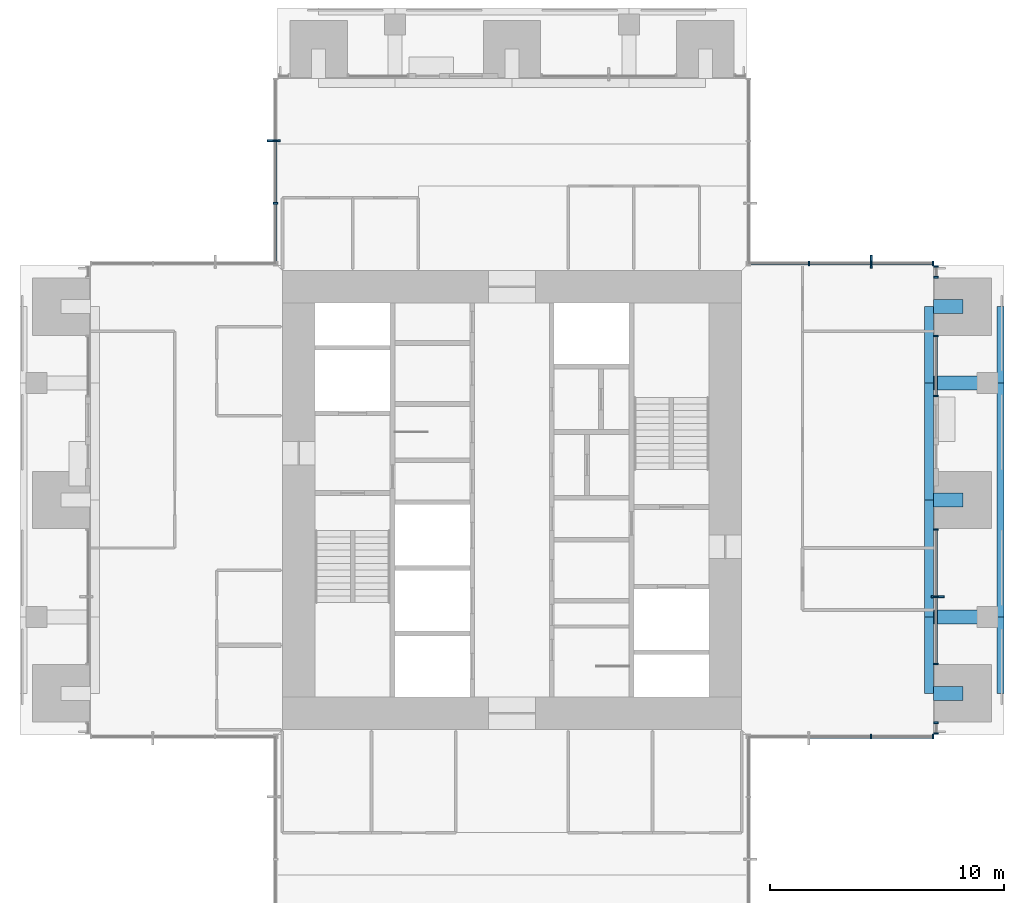
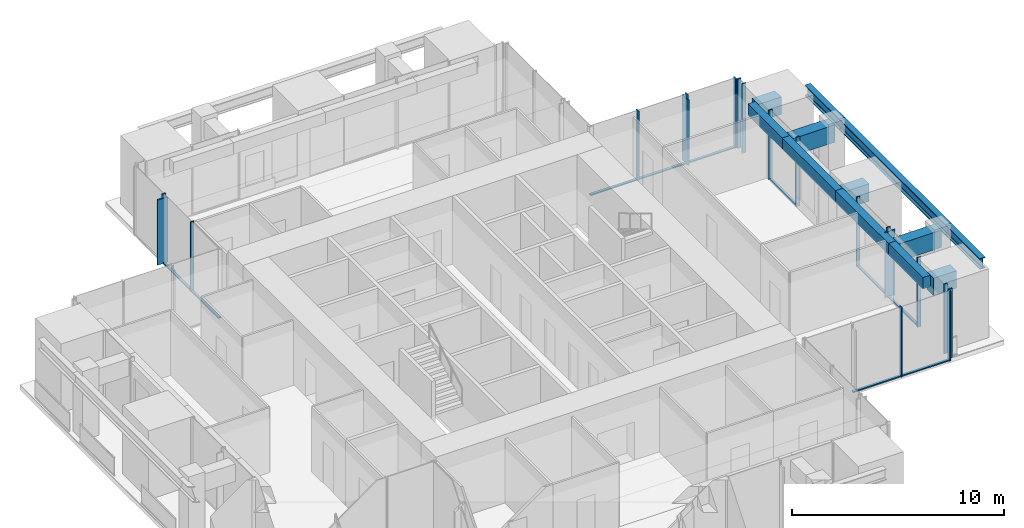
# One storey, part 4 of 17: 29 members, 12 beams, 7 elements without a shape of their own.
"""IFC4 building model written with IfcOpenShell, lengths in metres."""

from ifc_helpers import new_model, si_unit, direction, frame, origin, origin_2d, place, context, subcontext, project, spatial, rectangle, i_section, extrude, material, material_profile, profile_set, type_object, element, aggregate, save


model = new_model("IFC4")

# Units and contexts
model_context = context("Model", 3, precision=1e-05, world=origin(), true_north=direction((0.0, 1.0)))
body_context = subcontext(model_context, "Body", "Model", "MODEL_VIEW")
ifc_project = project(units=[si_unit("LENGTHUNIT", "METRE"), si_unit("AREAUNIT", "SQUARE_METRE"), si_unit("VOLUMEUNIT", "CUBIC_METRE"), si_unit("PLANEANGLEUNIT", "RADIAN"), si_unit("MASSUNIT", "GRAM", prefix="KILO")], contexts=[model_context])

# Site, building, storey
site_placement = place(None, origin())
site = spatial("IfcSite", under=ifc_project, at=site_placement, CompositionType="ELEMENT")
building_placement = place(site_placement, origin())
building = spatial("IfcBuilding", under=site, at=building_placement, Name="Svetlomir Tower", CompositionType="ELEMENT")
storey_placement = place(building_placement, frame((0.0, 0.0, 206.5)))
storey = spatial("IfcBuildingStorey", under=building, at=storey_placement, Name="L49", CompositionType="ELEMENT", Elevation=206.5)

# Curtain wall, member
ifc_material_1 = material(Name="Bronze anodised aluminium curtain wall", Category="aluminium")
curtain_wall_type = type_object("IfcCurtainWallType", Name="CURTAIN WALL CW1 TOWER OFFICE", PredefinedType="NOTDEFINED", material=ifc_material_1)
curtain_wall_1_placement = place(storey_placement, origin())
curtain_wall_1 = element("IfcCurtainWall", 1, at=curtain_wall_1_placement, inside=storey, type_object=curtain_wall_type, Name="Curtain wall CW1 L49", PredefinedType="NOTDEFINED")
ifc_material_2 = material(Name="Bronze anodised aluminium", Category="aluminium")
ifc_material_profile_1 = material_profile(ifc_material_2, rectangle(XDim=0.080078125, YDim=0.550048828125, at=origin_2d()), Name="FIN 80x550")
ifc_profile_set_1 = profile_set([ifc_material_profile_1], Name="Bronze anodised aluminium 6063-T6")
member_type_1 = type_object("IfcMemberType", Name="BRONZE FIN 80x550", PredefinedType="USERDEFINED", material=ifc_profile_set_1)
member_1_placement = place(storey_placement, frame((39.175048828125, 16.875, 0.0), z_axis=(0.0, 0.0, 1.0), x_axis=(0.0, 1.0, 0.0)))
member_1 = element("IfcMember", 2, at=member_1_placement, type_object=member_type_1, Name="Bronze fin L49", ObjectType="FIN", PredefinedType="USERDEFINED", context=body_context, shape_type="SweptSolid", body=[
    extrude(rectangle(XDim=0.080078125, YDim=0.550048828125, at=origin_2d()), origin(), (0.0, 0.0, 1.0), 3.75),
])

curtain_wall_2_placement = place(storey_placement, origin())
curtain_wall_2 = element("IfcCurtainWall", 3, at=curtain_wall_2_placement, inside=storey, type_object=curtain_wall_type, Name="Curtain wall CW1 L49", PredefinedType="NOTDEFINED")
member_2_placement = place(storey_placement, frame((36.333251953125, 31.175048828125, 0.0), z_axis=(0.0, 0.0, 1.0), x_axis=(1.0, 0.0, 0.0)))
member_2 = element("IfcMember", 4, at=member_2_placement, type_object=member_type_1, Name="Bronze fin L49", ObjectType="FIN", PredefinedType="USERDEFINED", context=body_context, shape_type="SweptSolid", body=[
    extrude(rectangle(XDim=0.080078125, YDim=0.550048828125, at=origin_2d()), origin(), (0.0, 0.0, 1.0), 3.75),
])

curtain_wall_3_placement = place(storey_placement, origin())
curtain_wall_3 = element("IfcCurtainWall", 5, at=curtain_wall_3_placement, inside=storey, type_object=curtain_wall_type, Name="Curtain wall CW1 L49", PredefinedType="NOTDEFINED")
member_3_placement = place(storey_placement, frame((10.824951171875, 36.333251953125, 0.0), z_axis=(0.0, 0.0, 1.0), x_axis=(0.0, 1.0, 0.0)))
member_3 = element("IfcMember", 6, at=member_3_placement, type_object=member_type_1, Name="Bronze fin L49", ObjectType="FIN", PredefinedType="USERDEFINED", context=body_context, shape_type="SweptSolid", body=[
    extrude(rectangle(XDim=0.080078125, YDim=0.550048828125, at=origin_2d()), origin(), (0.0, 0.0, 1.0), 3.75),
])

# Curtain wall, members
curtain_wall_4_placement = place(storey_placement, origin())
curtain_wall_4 = element("IfcCurtainWall", 7, at=curtain_wall_4_placement, inside=storey, type_object=curtain_wall_type, Name="Curtain wall CW1 L49", PredefinedType="NOTDEFINED")
ifc_material_3 = material(Name="Bronze anodised aluminium", Category="aluminium")
ifc_material_profile_2 = material_profile(ifc_material_3, rectangle(XDim=0.06494140625, YDim=0.199951171875, at=origin_2d()), Name="AL 65x200")
ifc_profile_set_2 = profile_set([ifc_material_profile_2], Name="Bronze anodised aluminium 6063-T6")
member_type_2 = type_object("IfcMemberType", Name="CW1 MULLION 65x200", PredefinedType="MULLION", material=ifc_profile_set_2)
member_4_placement = place(storey_placement, frame((36.333251953125, 10.89990234375, 0.0), z_axis=(0.0, 0.0, 1.0), x_axis=(1.0, 0.0, 0.0)))
member_4 = element("IfcMember", 8, at=member_4_placement, type_object=member_type_2, Name="CW1 mullion 3", PredefinedType="MULLION", context=body_context, shape_type="SweptSolid", body=[
    extrude(rectangle(XDim=0.06494140625, YDim=0.199951171875, at=origin_2d()), origin(), (0.0, 0.0, 1.0), 4.0),
])
member_5_placement = place(storey_placement, frame((38.967529296875, 10.89990234375, 0.0), z_axis=(0.0, 0.0, 1.0), x_axis=(1.0, 0.0, 0.0)))
member_5 = element("IfcMember", 9, at=member_5_placement, type_object=member_type_2, Name="CW1 mullion 4", PredefinedType="MULLION", context=body_context, shape_type="SweptSolid", body=[
    extrude(rectangle(XDim=0.06494140625, YDim=0.199951171875, at=origin_2d()), origin(), (0.0, 0.0, 1.0), 4.0),
])

curtain_wall_5_placement = place(storey_placement, origin())
curtain_wall_5 = element("IfcCurtainWall", 10, at=curtain_wall_5_placement, inside=storey, type_object=curtain_wall_type, Name="Curtain wall CW1 L49", PredefinedType="NOTDEFINED")
member_6_placement = place(storey_placement, frame((39.10009765625, 11.032470703125, 0.0), z_axis=(0.0, 0.0, 1.0), x_axis=(0.0, 1.0, 0.0)))
member_6 = element("IfcMember", 11, at=member_6_placement, type_object=member_type_2, Name="CW1 mullion 1", PredefinedType="MULLION", context=body_context, shape_type="SweptSolid", body=[
    extrude(rectangle(XDim=0.06494140625, YDim=0.199951171875, at=origin_2d()), origin(), (0.0, 0.0, 1.0), 4.0),
])
member_7_placement = place(storey_placement, frame((39.10009765625, 11.492431640625, 0.0), z_axis=(0.0, 0.0, 1.0), x_axis=(0.0, 1.0, 0.0)))
member_7 = element("IfcMember", 12, at=member_7_placement, type_object=member_type_2, Name="CW1 mullion 2", PredefinedType="MULLION", context=body_context, shape_type="SweptSolid", body=[
    extrude(rectangle(XDim=0.06494140625, YDim=0.199951171875, at=origin_2d()), origin(), (0.0, 0.0, 1.0), 4.0),
])
aggregate(curtain_wall_5, [member_6, member_7])

# Member
member_8_placement = place(storey_placement, frame((39.10009765625, 14.007568359375, 0.0), z_axis=(0.0, 0.0, 1.0), x_axis=(0.0, 1.0, 0.0)))
member_8 = element("IfcMember", 13, at=member_8_placement, type_object=member_type_2, Name="CW1 mullion 1", PredefinedType="MULLION", context=body_context, shape_type="SweptSolid", body=[
    extrude(rectangle(XDim=0.06494140625, YDim=0.199951171875, at=origin_2d()), origin(), (0.0, 0.0, 1.0), 4.0),
])

member_9_placement = place(storey_placement, frame((39.10009765625, 16.875, 0.0), z_axis=(0.0, 0.0, 1.0), x_axis=(0.0, 1.0, 0.0)))
member_9 = element("IfcMember", 14, at=member_9_placement, type_object=member_type_2, Name="CW1 mullion 2", PredefinedType="MULLION", context=body_context, shape_type="SweptSolid", body=[
    extrude(rectangle(XDim=0.06494140625, YDim=0.199951171875, at=origin_2d()), origin(), (0.0, 0.0, 1.0), 4.0),
])

member_10_placement = place(storey_placement, frame((39.10009765625, 19.742431640625, 0.0), z_axis=(0.0, 0.0, 1.0), x_axis=(0.0, 1.0, 0.0)))
member_10 = element("IfcMember", 15, at=member_10_placement, type_object=member_type_2, Name="CW1 mullion 3", PredefinedType="MULLION", context=body_context, shape_type="SweptSolid", body=[
    extrude(rectangle(XDim=0.06494140625, YDim=0.199951171875, at=origin_2d()), origin(), (0.0, 0.0, 1.0), 4.0),
])

# Curtain wall, members
curtain_wall_6_placement = place(storey_placement, origin())
curtain_wall_6 = element("IfcCurtainWall", 16, at=curtain_wall_6_placement, inside=storey, type_object=curtain_wall_type, Name="Curtain wall CW1 L49", PredefinedType="NOTDEFINED")
member_11_placement = place(storey_placement, frame((39.10009765625, 25.4326171875, 0.0), z_axis=(0.0, 0.0, 1.0), x_axis=(0.0, 1.0, 0.0)))
member_11 = element("IfcMember", 17, at=member_11_placement, type_object=member_type_2, Name="CW1 mullion 1", PredefinedType="MULLION", context=body_context, shape_type="SweptSolid", body=[
    extrude(rectangle(XDim=0.06494140625, YDim=0.199951171875, at=origin_2d()), origin(), (0.0, 0.0, 1.0), 4.0),
])
member_12_placement = place(storey_placement, frame((39.10009765625, 27.992431640625, 0.0), z_axis=(0.0, 0.0, 1.0), x_axis=(0.0, 1.0, 0.0)))
member_12 = element("IfcMember", 18, at=member_12_placement, type_object=member_type_2, Name="CW1 mullion 2", PredefinedType="MULLION", context=body_context, shape_type="SweptSolid", body=[
    extrude(rectangle(XDim=0.06494140625, YDim=0.199951171875, at=origin_2d()), origin(), (0.0, 0.0, 1.0), 4.0),
])

curtain_wall_7_placement = place(storey_placement, origin())
curtain_wall_7 = element("IfcCurtainWall", 19, at=curtain_wall_7_placement, inside=storey, type_object=curtain_wall_type, Name="Curtain wall CW1 L49", PredefinedType="NOTDEFINED")
member_13_placement = place(storey_placement, frame((39.10009765625, 30.507568359375, 0.0), z_axis=(0.0, 0.0, 1.0), x_axis=(0.0, 1.0, 0.0)))
member_13 = element("IfcMember", 20, at=member_13_placement, type_object=member_type_2, Name="CW1 mullion 1", PredefinedType="MULLION", context=body_context, shape_type="SweptSolid", body=[
    extrude(rectangle(XDim=0.06494140625, YDim=0.199951171875, at=origin_2d()), origin(), (0.0, 0.0, 1.0), 4.0),
])
member_14_placement = place(storey_placement, frame((39.10009765625, 30.967529296875, 0.0), z_axis=(0.0, 0.0, 1.0), x_axis=(0.0, 1.0, 0.0)))
member_14 = element("IfcMember", 21, at=member_14_placement, type_object=member_type_2, Name="CW1 mullion 2", PredefinedType="MULLION", context=body_context, shape_type="SweptSolid", body=[
    extrude(rectangle(XDim=0.06494140625, YDim=0.199951171875, at=origin_2d()), origin(), (0.0, 0.0, 1.0), 4.0),
])
aggregate(curtain_wall_7, [member_13, member_14])

# Member
member_15_placement = place(storey_placement, frame((38.967529296875, 31.10009765625, 0.0), z_axis=(0.0, 0.0, 1.0), x_axis=(-1.0, 0.0, 0.0)))
member_15 = element("IfcMember", 22, at=member_15_placement, type_object=member_type_2, Name="CW1 mullion 1", PredefinedType="MULLION", context=body_context, shape_type="SweptSolid", body=[
    extrude(rectangle(XDim=0.06494140625, YDim=0.199951171875, at=origin_2d()), origin(), (0.0, 0.0, 1.0), 4.0),
])

member_16_placement = place(storey_placement, frame((36.333251953125, 31.10009765625, 0.0), z_axis=(0.0, 0.0, 1.0), x_axis=(-1.0, 0.0, 0.0)))
member_16 = element("IfcMember", 23, at=member_16_placement, type_object=member_type_2, Name="CW1 mullion 2", PredefinedType="MULLION", context=body_context, shape_type="SweptSolid", body=[
    extrude(rectangle(XDim=0.06494140625, YDim=0.199951171875, at=origin_2d()), origin(), (0.0, 0.0, 1.0), 4.0),
])

member_17_placement = place(storey_placement, frame((33.666748046875, 31.10009765625, 0.0), z_axis=(0.0, 0.0, 1.0), x_axis=(-1.0, 0.0, 0.0)))
member_17 = element("IfcMember", 24, at=member_17_placement, type_object=member_type_2, Name="CW1 mullion 3", PredefinedType="MULLION", context=body_context, shape_type="SweptSolid", body=[
    extrude(rectangle(XDim=0.06494140625, YDim=0.199951171875, at=origin_2d()), origin(), (0.0, 0.0, 1.0), 4.0),
])

member_18_placement = place(storey_placement, frame((10.89990234375, 36.333251953125, 0.0), z_axis=(0.0, 0.0, 1.0), x_axis=(0.0, -1.0, 0.0)))
member_18 = element("IfcMember", 25, at=member_18_placement, type_object=member_type_2, Name="CW1 mullion 2", PredefinedType="MULLION", context=body_context, shape_type="SweptSolid", body=[
    extrude(rectangle(XDim=0.06494140625, YDim=0.199951171875, at=origin_2d()), origin(), (0.0, 0.0, 1.0), 4.0),
])

member_19_placement = place(storey_placement, frame((10.89990234375, 33.666748046875, 0.0), z_axis=(0.0, 0.0, 1.0), x_axis=(0.0, -1.0, 0.0)))
member_19 = element("IfcMember", 26, at=member_19_placement, type_object=member_type_2, Name="CW1 mullion 3", PredefinedType="MULLION", context=body_context, shape_type="SweptSolid", body=[
    extrude(rectangle(XDim=0.06494140625, YDim=0.199951171875, at=origin_2d()), origin(), (0.0, 0.0, 1.0), 4.0),
])

ifc_material_4 = material(Name="Bronze anodised aluminium", Category="aluminium")
ifc_material_profile_3 = material_profile(ifc_material_4, rectangle(XDim=0.139892578125, YDim=0.06494140625, at=origin_2d()), Name="AL 140x65")
ifc_profile_set_3 = profile_set([ifc_material_profile_3], Name="Bronze anodised aluminium 6063-T6")
member_type_3 = type_object("IfcMemberType", Name="CW1 TRANSOM 65x140", PredefinedType="USERDEFINED", material=ifc_profile_set_3)
member_20_placement = place(storey_placement, frame((33.69921875, 10.89990234375, 0.032470703125), z_axis=(1.0, 0.0, 0.0), x_axis=(0.0, 1.0, 0.0)))
member_20 = element("IfcMember", 27, at=member_20_placement, type_object=member_type_3, Name="CW1 transom 2.1", ObjectType="TRANSOM", PredefinedType="USERDEFINED", context=body_context, shape_type="SweptSolid", body=[
    extrude(rectangle(XDim=0.139892578125, YDim=0.06494140625, at=origin_2d()), origin(), (0.0, 0.0, 1.0), 2.6015625),
])

member_21_placement = place(storey_placement, frame((36.36572265625, 10.89990234375, 0.032470703125), z_axis=(1.0, 0.0, 0.0), x_axis=(0.0, 1.0, 0.0)))
member_21 = element("IfcMember", 28, at=member_21_placement, type_object=member_type_3, Name="CW1 transom 3.1", ObjectType="TRANSOM", PredefinedType="USERDEFINED", context=body_context, shape_type="SweptSolid", body=[
    extrude(rectangle(XDim=0.139892578125, YDim=0.06494140625, at=origin_2d()), origin(), (0.0, 0.0, 1.0), 2.5693359375),
])

aggregate(curtain_wall_4, [member_4, member_5, member_20, member_21])

member_22_placement = place(storey_placement, frame((39.10009765625, 14.0400390625, 0.032470703125), z_axis=(0.0, 1.0, 0.0), x_axis=(-1.0, 0.0, 0.0)))
member_22 = element("IfcMember", 29, at=member_22_placement, type_object=member_type_3, Name="CW1 transom 1.1", ObjectType="TRANSOM", PredefinedType="USERDEFINED", context=body_context, shape_type="SweptSolid", body=[
    extrude(rectangle(XDim=0.139892578125, YDim=0.06494140625, at=origin_2d()), origin(), (0.0, 0.0, 1.0), 2.802490234375),
])

member_23_placement = place(storey_placement, frame((39.10009765625, 16.907470703125, 0.032470703125), z_axis=(0.0, 1.0, 0.0), x_axis=(-1.0, 0.0, 0.0)))
member_23 = element("IfcMember", 30, at=member_23_placement, type_object=member_type_3, Name="CW1 transom 2.1", ObjectType="TRANSOM", PredefinedType="USERDEFINED", context=body_context, shape_type="SweptSolid", body=[
    extrude(rectangle(XDim=0.139892578125, YDim=0.06494140625, at=origin_2d()), origin(), (0.0, 0.0, 1.0), 2.802490234375),
])

aggregate(curtain_wall_1, [member_8, member_9, member_10, member_22, member_23, member_1])

member_24_placement = place(storey_placement, frame((39.10009765625, 25.465087890625, 0.032470703125), z_axis=(0.0, 1.0, 0.0), x_axis=(-1.0, 0.0, 0.0)))
member_24 = element("IfcMember", 31, at=member_24_placement, type_object=member_type_3, Name="CW1 transom 1.1", ObjectType="TRANSOM", PredefinedType="USERDEFINED", context=body_context, shape_type="SweptSolid", body=[
    extrude(rectangle(XDim=0.139892578125, YDim=0.06494140625, at=origin_2d()), origin(), (0.0, 0.0, 1.0), 2.494873046875),
])

aggregate(curtain_wall_6, [member_11, member_12, member_24])

member_25_placement = place(storey_placement, frame((38.93505859375, 31.10009765625, 0.032470703125), z_axis=(-1.0, 0.0, 0.0), x_axis=(0.0, -1.0, 0.0)))
member_25 = element("IfcMember", 32, at=member_25_placement, type_object=member_type_3, Name="CW1 transom 1.1", ObjectType="TRANSOM", PredefinedType="USERDEFINED", context=body_context, shape_type="SweptSolid", body=[
    extrude(rectangle(XDim=0.139892578125, YDim=0.06494140625, at=origin_2d()), origin(), (0.0, 0.0, 1.0), 2.5693359375),
])

member_26_placement = place(storey_placement, frame((36.30078125, 31.10009765625, 0.032470703125), z_axis=(-1.0, 0.0, 0.0), x_axis=(0.0, -1.0, 0.0)))
member_26 = element("IfcMember", 33, at=member_26_placement, type_object=member_type_3, Name="CW1 transom 2.1", ObjectType="TRANSOM", PredefinedType="USERDEFINED", context=body_context, shape_type="SweptSolid", body=[
    extrude(rectangle(XDim=0.139892578125, YDim=0.06494140625, at=origin_2d()), origin(), (0.0, 0.0, 1.0), 2.6015625),
])

member_27_placement = place(storey_placement, frame((33.63427734375, 31.10009765625, 0.032470703125), z_axis=(-1.0, 0.0, 0.0), x_axis=(0.0, -1.0, 0.0)))
member_27 = element("IfcMember", 34, at=member_27_placement, type_object=member_type_3, Name="CW1 transom 3.1", ObjectType="TRANSOM", PredefinedType="USERDEFINED", context=body_context, shape_type="SweptSolid", body=[
    extrude(rectangle(XDim=0.139892578125, YDim=0.06494140625, at=origin_2d()), origin(), (0.0, 0.0, 1.0), 2.5693359375),
])

aggregate(curtain_wall_2, [member_15, member_16, member_17, member_25, member_26, member_27, member_2])

member_28_placement = place(storey_placement, frame((10.89990234375, 36.30078125, 0.032470703125), z_axis=(0.0, -1.0, 0.0), x_axis=(1.0, 0.0, 0.0)))
member_28 = element("IfcMember", 35, at=member_28_placement, type_object=member_type_3, Name="CW1 transom 2.1", ObjectType="TRANSOM", PredefinedType="USERDEFINED", context=body_context, shape_type="SweptSolid", body=[
    extrude(rectangle(XDim=0.139892578125, YDim=0.06494140625, at=origin_2d()), origin(), (0.0, 0.0, 1.0), 2.6015625),
])

member_29_placement = place(storey_placement, frame((10.89990234375, 33.63427734375, 0.032470703125), z_axis=(0.0, -1.0, 0.0), x_axis=(1.0, 0.0, 0.0)))
member_29 = element("IfcMember", 36, at=member_29_placement, type_object=member_type_3, Name="CW1 transom 3.1", ObjectType="TRANSOM", PredefinedType="USERDEFINED", context=body_context, shape_type="SweptSolid", body=[
    extrude(rectangle(XDim=0.139892578125, YDim=0.06494140625, at=origin_2d()), origin(), (0.0, 0.0, 1.0), 2.5693359375),
])

aggregate(curtain_wall_3, [member_18, member_19, member_28, member_29, member_3])

# Beams
ifc_material_5 = material(Name="Steel S355", Category="steel")
ifc_material_profile_4 = material_profile(ifc_material_5, i_section(OverallWidth=0.304931640625, OverallDepth=0.6201171875, WebThickness=0.02099609375, FlangeThickness=0.0400390625, FilletRadius=0.027099609375, at=origin_2d()), Name="HEM 600")
ifc_profile_set_4 = profile_set([ifc_material_profile_4], Name="Steel S355")
beam_type_1 = type_object("IfcBeamType", Name="EDGE BEAM HEM 600", PredefinedType="SPANDREL", material=ifc_profile_set_4)
beam_1_placement = place(storey_placement, frame((41.847412109375, 12.75, 3.43994140625), z_axis=(0.0, 1.0, 0.0), x_axis=(-1.0, 0.0, 0.0)))
element("IfcBeam", 37, at=beam_1_placement, inside=storey, type_object=beam_type_1, Name="Edge beam 42/11 to 42/16 under L50", PredefinedType="SPANDREL", context=body_context, shape_type="SweptSolid", body=[
    extrude(i_section(OverallWidth=0.304931640625, OverallDepth=0.6201171875, WebThickness=0.02099609375, FlangeThickness=0.0400390625, FilletRadius=0.027099609375, at=origin_2d()), origin(), (0.0, 0.0, 1.0), 3.25),
])
beam_2_placement = place(storey_placement, frame((41.847412109375, 16.0, 3.43994140625), z_axis=(0.0, 1.0, 0.0), x_axis=(-1.0, 0.0, 0.0)))
element("IfcBeam", 38, at=beam_2_placement, inside=storey, type_object=beam_type_1, Name="Edge beam 42/16 to 42/26 under L50", PredefinedType="SPANDREL", context=body_context, shape_type="SweptSolid", body=[
    extrude(i_section(OverallWidth=0.304931640625, OverallDepth=0.6201171875, WebThickness=0.02099609375, FlangeThickness=0.0400390625, FilletRadius=0.027099609375, at=origin_2d()), origin(), (0.0, 0.0, 1.0), 10.0),
])
beam_3_placement = place(storey_placement, frame((41.847412109375, 26.0, 3.43994140625), z_axis=(0.0, 1.0, 0.0), x_axis=(-1.0, 0.0, 0.0)))
element("IfcBeam", 39, at=beam_3_placement, inside=storey, type_object=beam_type_1, Name="Edge beam 42/26 to 42/31 under L50", PredefinedType="SPANDREL", context=body_context, shape_type="SweptSolid", body=[
    extrude(i_section(OverallWidth=0.304931640625, OverallDepth=0.6201171875, WebThickness=0.02099609375, FlangeThickness=0.0400390625, FilletRadius=0.027099609375, at=origin_2d()), origin(), (0.0, 0.0, 1.0), 3.25),
])
ifc_material_6 = material(Name="Concrete C60/75", Category="concrete")
ifc_material_profile_5 = material_profile(ifc_material_6, rectangle(XDim=0.39990234375, YDim=0.64990234375, at=origin_2d()), Name="RC 400x650")
ifc_profile_set_5 = profile_set([ifc_material_profile_5], Name="Concrete C60/75")
beam_type_2 = type_object("IfcBeamType", Name="FACADE EDGE BEAM RC 400x650", PredefinedType="BEAM", material=ifc_profile_set_5)
beam_4_placement = place(storey_placement, frame((38.800048828125, 12.75, 3.425048828125), z_axis=(0.0, 1.0, 0.0), x_axis=(-1.0, 0.0, 0.0)))
element("IfcBeam", 40, at=beam_4_placement, inside=storey, type_object=beam_type_2, Name="Facade edge beam E 11 to 16 under L50", PredefinedType="BEAM", context=body_context, shape_type="SweptSolid", body=[
    extrude(rectangle(XDim=0.39990234375, YDim=0.64990234375, at=origin_2d()), origin(), (0.0, 0.0, 1.0), 3.25),
])
for number, where, z_axis, x_axis, name in (
    (41, (38.800048828125, 16.0, 3.425048828125), (0.0, 1.0, 0.0), (-1.0, 0.0, 0.0), "Facade edge beam E 16 to 21 under L50"),
    (42, (38.800048828125, 21.0, 3.425048828125), (0.0, 1.0, 0.0), (-1.0, 0.0, 0.0), "Facade edge beam E 21 to 26 under L50"),
):
    element("IfcBeam", number, at=place(storey_placement, frame(where, z_axis=z_axis, x_axis=x_axis)), inside=storey, type_object=beam_type_2, Name=name, PredefinedType="BEAM", context=body_context, shape_type="SweptSolid", body=[
        extrude(rectangle(XDim=0.39990234375, YDim=0.64990234375, at=origin_2d()), origin(), (0.0, 0.0, 1.0), 5.0),
    ])
beam_5_placement = place(storey_placement, frame((38.800048828125, 26.0, 3.425048828125), z_axis=(0.0, 1.0, 0.0), x_axis=(-1.0, 0.0, 0.0)))
element("IfcBeam", 43, at=beam_5_placement, inside=storey, type_object=beam_type_2, Name="Facade edge beam E 26 to 31 under L50", PredefinedType="BEAM", context=body_context, shape_type="SweptSolid", body=[
    extrude(rectangle(XDim=0.39990234375, YDim=0.64990234375, at=origin_2d()), origin(), (0.0, 0.0, 1.0), 3.25),
])
ifc_material_7 = material(Name="Concrete C60/75", Category="concrete")
ifc_material_profile_6 = material_profile(ifc_material_7, rectangle(XDim=0.60009765625, YDim=1.0, at=origin_2d()), Name="RC 600x1000")
ifc_profile_set_6 = profile_set([ifc_material_profile_6], Name="Concrete C60/75")
beam_type_3 = type_object("IfcBeamType", Name="LOGGIA LINK BEAM RC 600x1000", PredefinedType="BEAM", material=ifc_profile_set_6)
beam_6_placement = place(storey_placement, frame((40.25, 12.75, 3.25), z_axis=(-1.0, 0.0, 0.0), x_axis=(0.0, -1.0, 0.0)))
element("IfcBeam", 44, at=beam_6_placement, inside=storey, type_object=beam_type_3, Name="Loggia link beam E 11 under L50", PredefinedType="BEAM", context=body_context, shape_type="SweptSolid", body=[
    extrude(rectangle(XDim=0.60009765625, YDim=1.0, at=origin_2d()), origin(), (0.0, 0.0, 1.0), 1.25),
])
beam_7_placement = place(storey_placement, frame((41.300048828125, 16.0, 3.25), z_axis=(-1.0, 0.0, 0.0), x_axis=(0.0, -1.0, 0.0)))
element("IfcBeam", 45, at=beam_7_placement, inside=storey, type_object=beam_type_3, Name="Loggia link beam E 16 under L50", PredefinedType="BEAM", context=body_context, shape_type="SweptSolid", body=[
    extrude(rectangle(XDim=0.60009765625, YDim=1.0, at=origin_2d()), origin(), (0.0, 0.0, 1.0), 2.300048828125),
])
beam_8_placement = place(storey_placement, frame((40.25, 21.0, 3.25), z_axis=(-1.0, 0.0, 0.0), x_axis=(0.0, -1.0, 0.0)))
element("IfcBeam", 46, at=beam_8_placement, inside=storey, type_object=beam_type_3, Name="Loggia link beam E 21 under L50", PredefinedType="BEAM", context=body_context, shape_type="SweptSolid", body=[
    extrude(rectangle(XDim=0.60009765625, YDim=1.0, at=origin_2d()), origin(), (0.0, 0.0, 1.0), 1.25),
])
beam_9_placement = place(storey_placement, frame((41.300048828125, 26.0, 3.25), z_axis=(-1.0, 0.0, 0.0), x_axis=(0.0, -1.0, 0.0)))
element("IfcBeam", 47, at=beam_9_placement, inside=storey, type_object=beam_type_3, Name="Loggia link beam E 26 under L50", PredefinedType="BEAM", context=body_context, shape_type="SweptSolid", body=[
    extrude(rectangle(XDim=0.60009765625, YDim=1.0, at=origin_2d()), origin(), (0.0, 0.0, 1.0), 2.300048828125),
])
beam_10_placement = place(storey_placement, frame((40.25, 29.25, 3.25), z_axis=(-1.0, 0.0, 0.0), x_axis=(0.0, -1.0, 0.0)))
element("IfcBeam", 48, at=beam_10_placement, inside=storey, type_object=beam_type_3, Name="Loggia link beam E 31 under L50", PredefinedType="BEAM", context=body_context, shape_type="SweptSolid", body=[
    extrude(rectangle(XDim=0.60009765625, YDim=1.0, at=origin_2d()), origin(), (0.0, 0.0, 1.0), 1.25),
])

save(model, "model.ifc")
